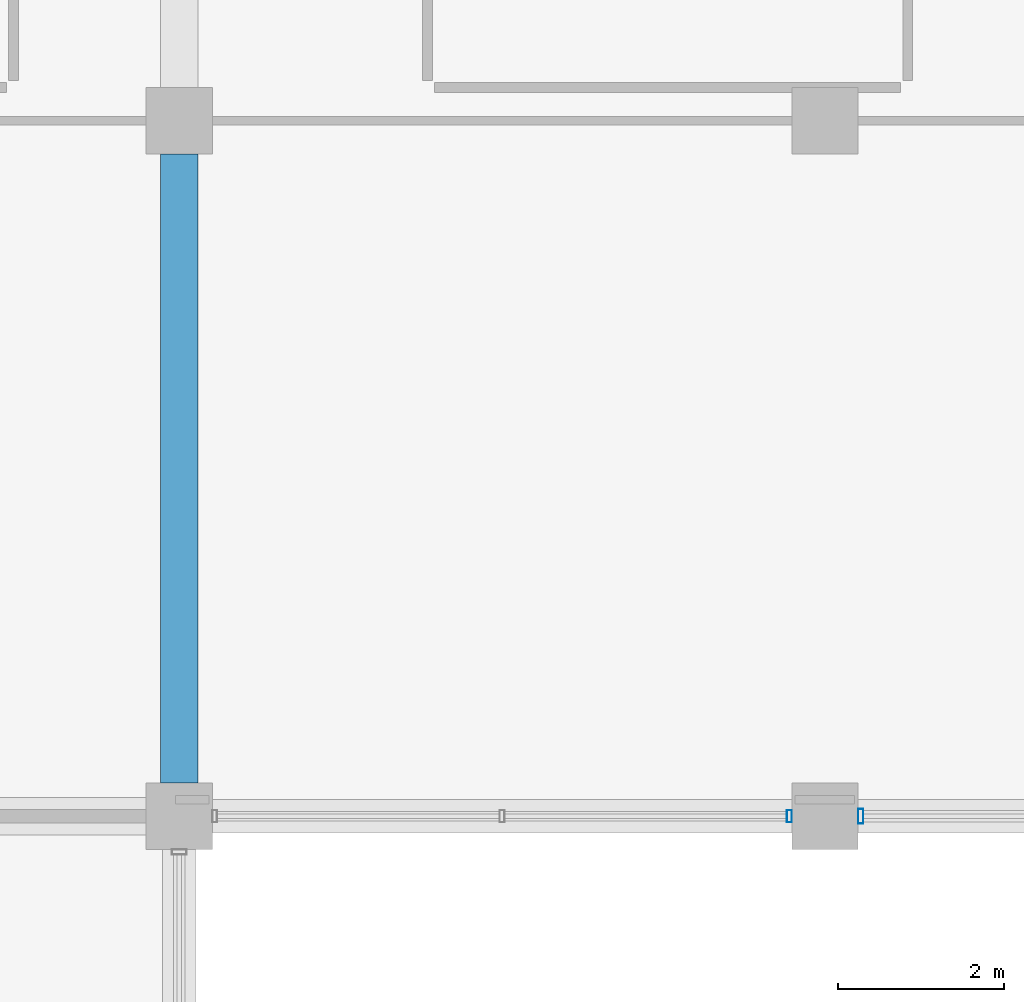
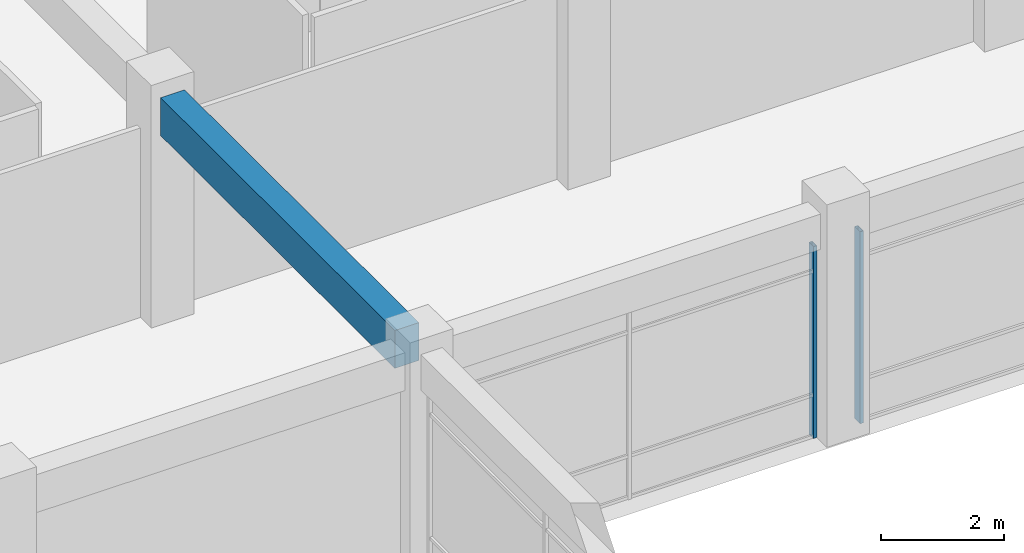
# One storey, part 17 of 62: 2 members, 1 beam, 2 elements without a shape of their own.
"""IFC4 building model written with IfcOpenShell, lengths in metres."""

from ifc_helpers import new_model, si_unit, direction, frame, origin, origin_2d, place, context, subcontext, project, spatial, rectangle, hollow_rectangle, extrude, material, material_profile, profile_set, type_object, element, aggregate, save


model = new_model("IFC4")

# Units and contexts
model_context = context("Model", 3, precision=1e-05, world=origin(), true_north=direction((0.0, 1.0)))
body_context = subcontext(model_context, "Body", "Model", "MODEL_VIEW")
ifc_project = project(units=[si_unit("LENGTHUNIT", "METRE"), si_unit("AREAUNIT", "SQUARE_METRE"), si_unit("VOLUMEUNIT", "CUBIC_METRE"), si_unit("PLANEANGLEUNIT", "RADIAN"), si_unit("MASSUNIT", "GRAM", prefix="KILO"), si_unit("THERMODYNAMICTEMPERATUREUNIT", "KELVIN"), si_unit("POWERUNIT", "WATT")], contexts=[model_context])

# Site, building, storey
site_placement = place(None, origin())
site = spatial("IfcSite", under=ifc_project, at=site_placement, CompositionType="ELEMENT")
building_placement = place(site_placement, origin())
building = spatial("IfcBuilding", under=site, at=building_placement, Name="Srebrne Nadtorze General Hospital", CompositionType="ELEMENT")
storey_placement = place(building_placement, frame((0.0, 0.0, 9.60009765625)))
storey = spatial("IfcBuildingStorey", under=building, at=storey_placement, Name="L02", CompositionType="ELEMENT", Elevation=9.60009765625)

# Curtain wall, member
ifc_material_1 = material(Name="Anodised Aluminium", Category="aluminium")
curtain_wall_type = type_object("IfcCurtainWallType", Name="Unitised curtain wall 7000x3800", PredefinedType="NOTDEFINED", material=ifc_material_1)
curtain_wall_1_placement = place(storey_placement, origin())
curtain_wall_1 = element("IfcCurtainWall", 1, at=curtain_wall_1_placement, inside=storey, type_object=curtain_wall_type, Name="Curtain wall CW-074", PredefinedType="NOTDEFINED")
ifc_material_2 = material(Name="Anodised Aluminium", Category="aluminium")
ifc_material_profile_1 = material_profile(ifc_material_2, hollow_rectangle(XDim=0.06005859375, YDim=0.14990234375, WallThickness=0.00390625, at=origin_2d()), Name="AL-MUL-60x150")
ifc_profile_set_1 = profile_set([ifc_material_profile_1], Name="Anodised Aluminium")
member_type_1 = type_object("IfcMemberType", Name="Curtain mullion 60x150", PredefinedType="MULLION", material=ifc_profile_set_1)
member_1_placement = place(storey_placement, frame((124.3701171875, 25.199951171875, 0.0), z_axis=(0.0, 0.0, 1.0), x_axis=(1.0, 0.0, 0.0)))
member_1 = element("IfcMember", 2, at=member_1_placement, type_object=member_type_1, Name="CW-074 mullion 3", PredefinedType="MULLION", context=body_context, shape_type="SweptSolid", body=[
    extrude(hollow_rectangle(XDim=0.06005859375, YDim=0.14990234375, WallThickness=0.00390625, at=origin_2d()), origin(), (0.0, 0.0, 1.0), 3.7998046875),
])
aggregate(curtain_wall_1, [member_1])

curtain_wall_2_placement = place(storey_placement, origin())
curtain_wall_2 = element("IfcCurtainWall", 3, at=curtain_wall_2_placement, inside=storey, type_object=curtain_wall_type, Name="Curtain wall CW-075", PredefinedType="NOTDEFINED")
ifc_material_3 = material(Name="Anodised Aluminium", Category="aluminium")
ifc_material_profile_2 = material_profile(ifc_material_3, hollow_rectangle(XDim=0.06494140625, YDim=0.179931640625, WallThickness=0.00390625, at=origin_2d()), Name="AL-MUL-65x180")
ifc_profile_set_2 = profile_set([ifc_material_profile_2], Name="Anodised Aluminium")
member_type_2 = type_object("IfcMemberType", Name="Curtain mullion 65x180", PredefinedType="MULLION", material=ifc_profile_set_2)
member_2_placement = place(storey_placement, frame((125.232421875, 25.199951171875, 0.0), z_axis=(0.0, 0.0, 1.0), x_axis=(1.0, 0.0, 0.0)))
member_2 = element("IfcMember", 4, at=member_2_placement, type_object=member_type_2, Name="CW-075 mullion 1", PredefinedType="MULLION", context=body_context, shape_type="SweptSolid", body=[
    extrude(hollow_rectangle(XDim=0.06494140625, YDim=0.179931640625, WallThickness=0.00390625, at=origin_2d()), origin(), (0.0, 0.0, 1.0), 3.7998046875),
])
aggregate(curtain_wall_2, [member_2])

# Beam
ifc_material_4 = material(Name="Concrete C40/50", Category="concrete")
ifc_material_profile_3 = material_profile(ifc_material_4, rectangle(XDim=0.449951171875, YDim=0.75, at=origin_2d()), Name="RC-BM-450x750")
ifc_profile_set_3 = profile_set([ifc_material_profile_3], Name="Concrete C40/50")
beam_type = type_object("IfcBeamType", Name="Primary beam RC 450x750", PredefinedType="BEAM", material=ifc_profile_set_3)
beam_placement = place(storey_placement, frame((117.0, 25.60009765625, 4.125), z_axis=(0.0, 1.0, 0.0), x_axis=(-1.0, 0.0, 0.0)))
element("IfcBeam", 5, at=beam_placement, inside=storey, type_object=beam_type, Name="Beam BM-L02-Y-0683", PredefinedType="BEAM", context=body_context, shape_type="SweptSolid", body=[
    extrude(rectangle(XDim=0.449951171875, YDim=0.75, at=origin_2d()), origin(), (0.0, 0.0, 1.0), 7.599853515625),
])

save(model, "model.ifc")
